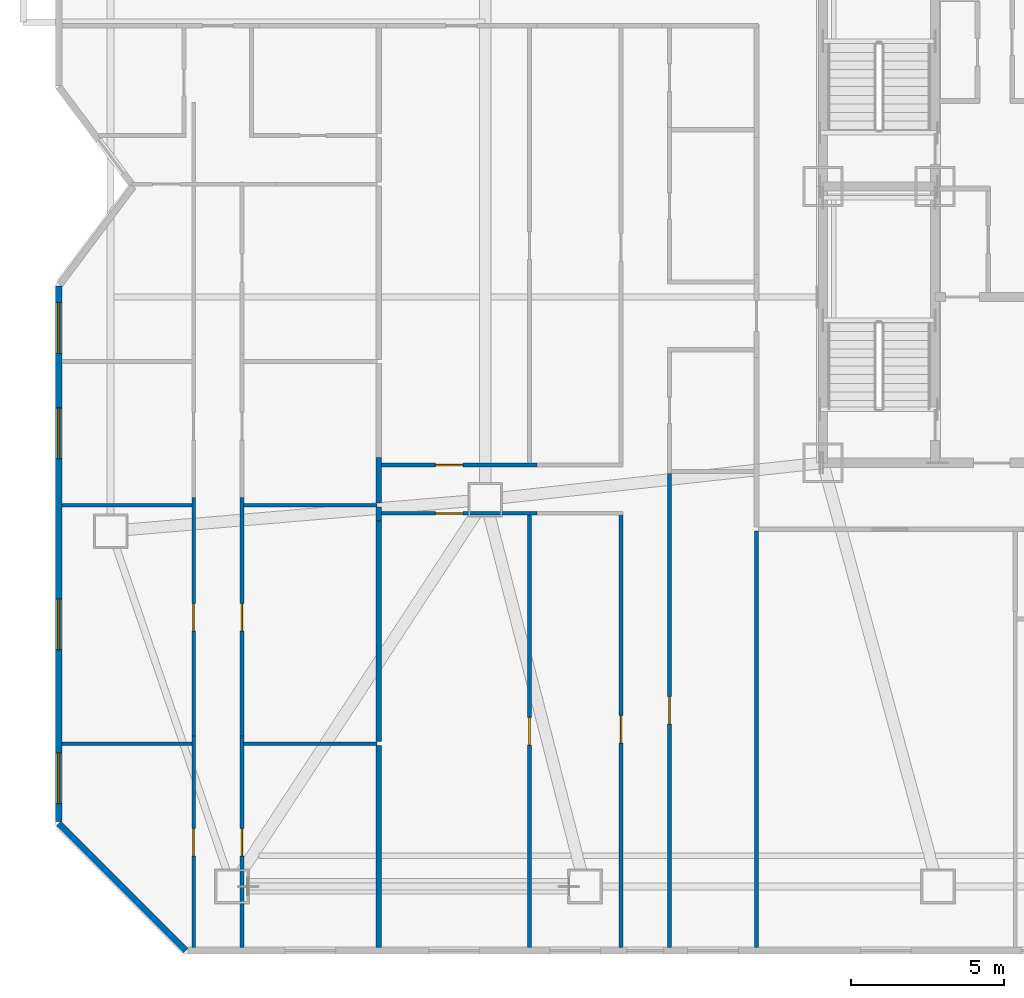
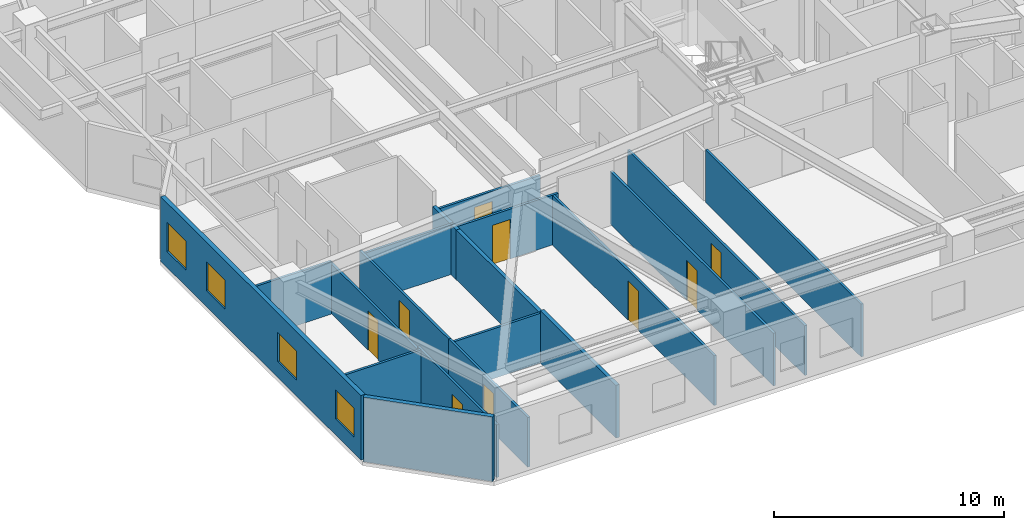
# One storey, part 7 of 17: 20 walls, 9 doors, 4 windows, 13 openings.
"""IFC4 building model written with IfcOpenShell, lengths in metres."""

import ifcopenshell
import ifcopenshell.guid

model = None  # the IFC model being written
_history = None  # IfcOwnerHistory: only IFC2X3 demands one
_inside = {}  # id of a spatial element -> (the spatial element, [elements in it])
_under = {}  # id of a project, library or spatial element -> (it, [spatial elements below it])
_declared = {}  # id of a project -> (the project, [libraries it declares])
_typed = {}  # id of a type object -> (the type object, [elements of that type])
_made_of = {}  # id of a material, layer set ... -> (it, [elements and type objects made of it])


def new_model(schema):
    """Start an empty IFC model of exactly this schema.

    Asked for "IFC4X3", IfcOpenShell would pick the latest addendum, in which some entities
    have other attributes; the version numbers below select the first issue.
    IFC2X3 requires an IfcOwnerHistory on every rooted entity: one is made here for all.
    """
    global model, _history
    if schema == "IFC4X3":
        model = ifcopenshell.file(schema_version=(4, 3, 0, 0))
    else:
        model = ifcopenshell.file(schema=schema)
    _inside.clear()
    _under.clear()
    _declared.clear()
    _typed.clear()
    _made_of.clear()
    _history = None
    if model.schema == "IFC2X3":
        org = make("IfcOrganization", Name="unknown")
        user = make(
            "IfcPersonAndOrganization",
            ThePerson=make("IfcPerson", FamilyName="unknown"),
            TheOrganization=org,
        )
        app = make(
            "IfcApplication",
            ApplicationDeveloper=org,
            Version="unknown",
            ApplicationFullName="unknown",
            ApplicationIdentifier="unknown",
        )
        _history = make(
            "IfcOwnerHistory",
            OwningUser=user,
            OwningApplication=app,
            ChangeAction="ADDED",
            CreationDate=0,
        )
    return model


def make(cls, **values):
    """One entity of the class cls with the attributes given. An attribute that is None is left unset."""
    return model.create_entity(
        cls, **{name: value for name, value in values.items() if value is not None}
    )


def rooted(cls, **values):
    """An entity with a GlobalId (a new one), such as an element, a storey or a relation."""
    return make(cls, GlobalId=ifcopenshell.guid.new(), OwnerHistory=_history, **values)


def si_unit(unit_type, name, prefix=None):
    """IfcSIUnit, for example si_unit("LENGTHUNIT", "METRE", prefix="MILLI")."""
    return make("IfcSIUnit", UnitType=unit_type, Prefix=prefix, Name=name)


def assignment(units):
    """IfcUnitAssignment: the units of a project."""
    return None if units is None else make("IfcUnitAssignment", Units=units)


def point(xyz):
    """IfcCartesianPoint."""
    return None if xyz is None else make("IfcCartesianPoint", Coordinates=xyz)


def direction(xyz):
    """IfcDirection."""
    return None if xyz is None else make("IfcDirection", DirectionRatios=xyz)


def frame(location, z_axis=None, x_axis=None):
    """IfcAxis2Placement3D, a coordinate frame: its origin and axes. An axis left out is left unset."""
    return make(
        "IfcAxis2Placement3D",
        Location=point(location),
        Axis=direction(z_axis),
        RefDirection=direction(x_axis),
    )


def frame_2d(location, x_axis=None):
    """IfcAxis2Placement2D, a coordinate frame in the plane: its origin and x axis."""
    return make(
        "IfcAxis2Placement2D", Location=point(location), RefDirection=direction(x_axis)
    )


def origin():
    """The frame at (0, 0, 0) with its axes left unset."""
    return frame((0.0, 0.0, 0.0))


def place(relative_to, where):
    """IfcLocalPlacement: puts the frame where relative to a parent placement (None: the world)."""
    return make(
        "IfcLocalPlacement", PlacementRelTo=relative_to, RelativePlacement=where
    )


def context(
    kind, dimensions, precision=None, world=None, true_north=None, identifier=None
):
    """IfcGeometricRepresentationContext, for example the 3D "Model" context."""
    return make(
        "IfcGeometricRepresentationContext",
        ContextIdentifier=identifier,
        ContextType=kind,
        CoordinateSpaceDimension=dimensions,
        Precision=precision,
        WorldCoordinateSystem=world,
        TrueNorth=true_north,
    )


def subcontext(parent, identifier, kind, view, scale=None):
    """IfcGeometricRepresentationSubContext, for example "Body" below "Model"."""
    return make(
        "IfcGeometricRepresentationSubContext",
        ContextIdentifier=identifier,
        ContextType=kind,
        ParentContext=parent,
        TargetScale=scale,
        TargetView=view,
    )


def project(units=None, contexts=None):
    """IfcProject with its units and contexts."""
    return rooted(
        "IfcProject",
        Name="project",
        RepresentationContexts=contexts,
        UnitsInContext=assignment(units),
    )


def spatial(cls, under=None, at=None, **own):
    """A site, building, storey or space (cls), placed at a placement, below another one or the project."""
    s = rooted(cls, ObjectPlacement=at, **own)
    if under is not None:
        _under.setdefault(under.id(), (under, []))[1].append(s)
    return s


def profile(cls, at=None, kind="AREA", **sizes):
    """A parametric profile (cls). Its sizes go by their IFC names, for example OverallWidth=200.0."""
    return make(cls, ProfileType=kind, Position=at, **sizes)


def rectangle(**sizes):
    """IfcRectangleProfileDef."""
    return profile("IfcRectangleProfileDef", **sizes)


def extrude(swept, where, along, depth):
    """IfcExtrudedAreaSolid: the profile swept, set in the frame where, extruded along a direction by depth."""
    return make(
        "IfcExtrudedAreaSolid",
        SweptArea=swept,
        Position=where,
        ExtrudedDirection=direction(along),
        Depth=depth,
    )


def shape(context_of_items, identifier, shape_type, items):
    """IfcShapeRepresentation: the items that make up one representation, for example the "Body"."""
    return make(
        "IfcShapeRepresentation",
        ContextOfItems=context_of_items,
        RepresentationIdentifier=identifier,
        RepresentationType=shape_type,
        Items=items,
    )


def material(Name=None, Category=None):
    """IfcMaterial."""
    return make("IfcMaterial", Name=Name, Category=Category)


def layer(
    of_material, thickness, ventilated=None, Name=None, Category=None, Priority=None
):
    """IfcMaterialLayer: one layer of a wall or slab, of a material (None: an air gap)."""
    return make(
        "IfcMaterialLayer",
        Material=of_material,
        LayerThickness=thickness,
        IsVentilated=ventilated,
        Name=Name,
        Category=Category,
        Priority=Priority,
    )


def layer_set(layers, Name=None):
    """IfcMaterialLayerSet."""
    return make("IfcMaterialLayerSet", MaterialLayers=layers, LayerSetName=Name)


def made_of(thing, what):
    """Note that an element or type object is made of a material, layer set ...; save() writes the relation."""
    if what is not None:
        _made_of.setdefault(what.id(), (what, []))[1].append(thing)
    return thing


def type_object(cls, material=None, **own):
    """A type object (cls), such as IfcWallType, which elements share."""
    return made_of(rooted(cls, **own), material)


def element(
    cls,
    number,
    at=None,
    inside=None,
    cuts=None,
    type_object=None,
    material=None,
    context=None,
    identifier="Body",
    shape_type=None,
    held_by="IfcProductDefinitionShape",
    body=None,
    shapes=None,
    **own,
):
    """One element of the class cls, such as IfcWall. Its Tag is "e" and its number.

    at: its placement. inside: the storey or other place that contains it. cuts: it is an
    opening in that element (IfcRelVoidsElement). A single representation is given by context,
    identifier, shape_type and body (its items); several are given by shapes. held_by: the class
    of the entity that holds the representations. save() writes the other relations.
    """
    e = rooted(cls, Tag="e%d" % number, ObjectPlacement=at, **own)
    if body is not None:
        shapes = [shape(context, identifier, shape_type, body)]
    if shapes is not None:
        e.Representation = make(held_by, Representations=shapes)
    if inside is not None:
        _inside.setdefault(inside.id(), (inside, []))[1].append(e)
    if cuts is not None:
        rooted(
            "IfcRelVoidsElement", RelatingBuildingElement=cuts, RelatedOpeningElement=e
        )
    if type_object is not None:
        _typed.setdefault(type_object.id(), (type_object, []))[1].append(e)
    return made_of(e, material)


def fill(opening, filler):
    """IfcRelFillsElement: the door or window that sits in an opening."""
    return rooted(
        "IfcRelFillsElement",
        RelatingOpeningElement=opening,
        RelatedBuildingElement=filler,
    )


def aggregate(whole, parts):
    """IfcRelAggregates: a whole, such as a stair, and the parts it consists of."""
    return rooted("IfcRelAggregates", RelatingObject=whole, RelatedObjects=parts)


def save(model, path):
    """Write the relations noted so far, then the file.

    IfcRelAggregates (storeys below a building ...), IfcRelContainedInSpatialStructure (elements
    in a storey), IfcRelDefinesByType, IfcRelAssociatesMaterial and IfcRelDeclares: one each for
    every whole, place, type object, material and project.
    """
    for whole, parts in _under.values():
        aggregate(whole, parts)
    for where, things in _inside.values():
        rooted(
            "IfcRelContainedInSpatialStructure",
            RelatedElements=things,
            RelatingStructure=where,
        )
    for kind, things in _typed.values():
        rooted("IfcRelDefinesByType", RelatedObjects=things, RelatingType=kind)
    for what, things in _made_of.values():
        rooted("IfcRelAssociatesMaterial", RelatedObjects=things, RelatingMaterial=what)
    for by, libraries in _declared.values():
        rooted("IfcRelDeclares", RelatingContext=by, RelatedDefinitions=libraries)
    model.write(path)


model = new_model("IFC4")

# Units and contexts
model_context = context("Model", 3, precision=1e-05, world=origin(), true_north=direction((0.0, 1.0)))
body_context = subcontext(model_context, "Body", "Model", "MODEL_VIEW")
ifc_project = project(units=[si_unit("LENGTHUNIT", "METRE"), si_unit("AREAUNIT", "SQUARE_METRE"), si_unit("VOLUMEUNIT", "CUBIC_METRE"), si_unit("PLANEANGLEUNIT", "RADIAN"), si_unit("MASSUNIT", "GRAM", prefix="KILO")], contexts=[model_context])

# Site, building, storey
site_placement = place(None, origin())
site = spatial("IfcSite", under=ifc_project, at=site_placement, CompositionType="ELEMENT")
building_placement = place(site_placement, origin())
building = spatial("IfcBuilding", under=site, at=building_placement, Name="Khamvora Tower", CompositionType="ELEMENT")
storey_placement = place(building_placement, frame((0.0, 0.0, 73.449951171875)))
storey = spatial("IfcBuildingStorey", under=building, at=storey_placement, Name="L18", CompositionType="ELEMENT", Elevation=73.449951171875)

# Walls
ifc_material_1 = material(Name="Acoustic Double-Stud Fire Wall", Category="gypsum")
ifc_layer_1 = layer(ifc_material_1, 0.179931640625)
ifc_layer_set_1 = layer_set([ifc_layer_1], Name="Acoustic Double-Stud Fire Wall")
wall_type_1 = type_object("IfcWallType", Name="WAL-CORR-180", PredefinedType="STANDARD", material=ifc_layer_set_1)
wall_1_placement = place(storey_placement, frame((14.533935546875, 9.784912109375, 0.0), z_axis=(0.0, 0.0, 1.0), x_axis=(0.0, -1.0, 0.0)))
element("IfcWall", 1, at=wall_1_placement, inside=storey, type_object=wall_type_1, Name="L18 interior partition wall 070", PredefinedType="STANDARD", context=body_context, shape_type="SweptSolid", body=[
    extrude(rectangle(XDim=6.572998046875, YDim=0.179931640625, at=frame_2d((3.28662109375, 0.0))), origin(), (0.0, 0.0, 1.0), 2.802978515625),
])
wall_2_placement = place(storey_placement, frame((14.533935546875, 17.553955078125, 0.0), z_axis=(0.0, 0.0, 1.0), x_axis=(0.0, -1.0, 0.0)))
element("IfcWall", 2, at=wall_2_placement, inside=storey, type_object=wall_type_1, Name="L18 interior partition wall 072", PredefinedType="STANDARD", context=body_context, shape_type="SweptSolid", body=[
    extrude(rectangle(XDim=0.447998046875, YDim=0.179931640625, at=frame_2d((0.22412109375, 0.0))), origin(), (0.0, 0.0, 1.0), 2.64697265625),
])
wall_3_placement = place(storey_placement, frame((14.533935546875, 17.10595703125, 0.0), z_axis=(0.0, 0.0, 1.0), x_axis=(0.0, -1.0, 0.0)))
element("IfcWall", 3, at=wall_3_placement, inside=storey, type_object=wall_type_1, Name="L18 interior partition wall 073", PredefinedType="STANDARD", context=body_context, shape_type="SweptSolid", body=[
    extrude(rectangle(XDim=7.19091796875, YDim=0.179931640625, at=frame_2d((3.595458984375, 0.0))), origin(), (0.0, 0.0, 1.0), 2.64697265625),
])
wall_4_placement = place(storey_placement, frame((14.533935546875, 19.174072265625, 0.0), z_axis=(0.0, 0.0, 1.0), x_axis=(0.0, -1.0, 0.0)))
element("IfcWall", 4, at=wall_4_placement, inside=storey, type_object=wall_type_1, Name="L18 interior partition wall 075", PredefinedType="STANDARD", context=body_context, shape_type="SweptSolid", body=[
    extrude(rectangle(XDim=1.489990234375, YDim=0.179931640625, at=frame_2d((0.7451171875, 0.0))), origin(), (0.0, 0.0, 1.0), 2.64697265625),
])
ifc_material_2 = material(Name="Precast concrete C40/50", Category="concrete")
ifc_layer_2 = layer(ifc_material_2, 0.219970703125)
ifc_layer_set_2 = layer_set([ifc_layer_2], Name="Precast concrete C40/50")
wall_type_2 = type_object("IfcWallType", Name="WAL-EXT-220", PredefinedType="STANDARD", material=ifc_layer_set_2)
wall_5_placement = place(storey_placement, frame((8.24609375, 3.110107421875, 0.0), z_axis=(0.0, 0.0, 1.0), x_axis=(-0.707106781187, 0.707106781187, 0.0)))
element("IfcWall", 5, at=wall_5_placement, inside=storey, type_object=wall_type_2, Name="L18 exterior facade wall 01.1", PredefinedType="STANDARD", context=body_context, shape_type="SweptSolid", body=[
    extrude(rectangle(XDim=5.84912109375, YDim=0.219970703125, at=frame_2d((2.924560546875, 0.0))), origin(), (0.0, 0.0, 1.0), 3.429931640625),
])

# Wall, openings, windows
wall_6_placement = place(storey_placement, frame((4.110107421875, 7.31689453125, 0.0), z_axis=(0.0, 0.0, 1.0), x_axis=(0.0, 1.0, 0.0)))
wall_6 = element("IfcWall", 6, at=wall_6_placement, inside=storey, type_object=wall_type_2, Name="L18 exterior facade wall 02.1", PredefinedType="STANDARD", context=body_context, shape_type="SweptSolid", body=[
    extrude(rectangle(XDim=17.446044921875, YDim=0.219970703125, at=frame_2d((8.72314453125, 0.0))), origin(), (0.0, 0.0, 1.0), 3.429931640625),
])
opening_1_placement = place(wall_6_placement, frame((0.583984375, 0.0, 0.85009765625)))
opening_1 = element("IfcOpeningElement", 7, at=opening_1_placement, cuts=wall_6, Name="Opening WN-06", PredefinedType="OPENING", context=body_context, shape_type="SweptSolid", body=[
    extrude(rectangle(XDim=1.64990234375, YDim=1.550048828125, at=frame_2d((0.824951171875, 0.77490234375))), frame((0.0, 0.119873046875, 0.0), z_axis=(0.0, -1.0, 0.0), x_axis=(1.0, 0.0, 0.0)), (0.0, 0.0, 1.0), 0.239990234375),
])
opening_2_placement = place(wall_6_placement, frame((5.593017578125, 0.0, 0.85009765625)))
opening_2 = element("IfcOpeningElement", 8, at=opening_2_placement, cuts=wall_6, Name="Opening WN-06", PredefinedType="OPENING", context=body_context, shape_type="SweptSolid", body=[
    extrude(rectangle(XDim=1.64990234375, YDim=1.550048828125, at=frame_2d((0.824951171875, 0.77490234375))), frame((0.0, 0.119873046875, 0.0), z_axis=(0.0, -1.0, 0.0), x_axis=(1.0, 0.0, 0.0)), (0.0, 0.0, 1.0), 0.239990234375),
])
opening_3_placement = place(wall_6_placement, frame((11.818115234375, 0.0, 0.85009765625)))
opening_3 = element("IfcOpeningElement", 9, at=opening_3_placement, cuts=wall_6, Name="Opening WN-06", PredefinedType="OPENING", context=body_context, shape_type="SweptSolid", body=[
    extrude(rectangle(XDim=1.64990234375, YDim=1.550048828125, at=frame_2d((0.824951171875, 0.77490234375))), frame((0.0, 0.119873046875, 0.0), z_axis=(0.0, -1.0, 0.0), x_axis=(1.0, 0.0, 0.0)), (0.0, 0.0, 1.0), 0.239990234375),
])
opening_4_placement = place(wall_6_placement, frame((15.2470703125, 0.0, 0.85009765625)))
opening_4 = element("IfcOpeningElement", 10, at=opening_4_placement, cuts=wall_6, Name="Opening WN-06", PredefinedType="OPENING", context=body_context, shape_type="SweptSolid", body=[
    extrude(rectangle(XDim=1.64990234375, YDim=1.550048828125, at=frame_2d((0.824951171875, 0.77490234375))), frame((0.0, 0.119873046875, 0.0), z_axis=(0.0, -1.0, 0.0), x_axis=(1.0, 0.0, 0.0)), (0.0, 0.0, 1.0), 0.239990234375),
])
ifc_material_3 = material(Name="Low-E Laminated Double Glazing", Category="glass")
window_type = type_object("IfcWindowType", Name="WIN-VIS-1650x1550", PartitioningType="SINGLE_PANEL", PredefinedType="WINDOW", material=ifc_material_3)
window_1_placement = place(opening_1_placement, origin())
window_1 = element("IfcWindow", 11, at=window_1_placement, inside=storey, type_object=window_type, Name="L18 vision window 02.1.01", OverallHeight=1.550048828125, OverallWidth=1.64990234375, PartitioningType="SINGLE_PANEL", PredefinedType="WINDOW", context=body_context, shape_type="SweptSolid", body=[
    extrude(rectangle(XDim=1.64990234375, YDim=1.550048828125, at=frame_2d((0.824951171875, 0.77490234375))), frame((0.0, 0.030029296875, 0.0), z_axis=(0.0, -1.0, 0.0), x_axis=(1.0, 0.0, 0.0)), (0.0, 0.0, 1.0), 0.06005859375),
])
fill(opening_1, window_1)
window_2_placement = place(opening_2_placement, origin())
window_2 = element("IfcWindow", 12, at=window_2_placement, inside=storey, type_object=window_type, Name="L18 vision window 02.1.02", OverallHeight=1.550048828125, OverallWidth=1.64990234375, PartitioningType="SINGLE_PANEL", PredefinedType="WINDOW", context=body_context, shape_type="SweptSolid", body=[
    extrude(rectangle(XDim=1.64990234375, YDim=1.550048828125, at=frame_2d((0.824951171875, 0.77490234375))), frame((0.0, 0.030029296875, 0.0), z_axis=(0.0, -1.0, 0.0), x_axis=(1.0, 0.0, 0.0)), (0.0, 0.0, 1.0), 0.06005859375),
])
fill(opening_2, window_2)
window_3_placement = place(opening_3_placement, origin())
window_3 = element("IfcWindow", 13, at=window_3_placement, inside=storey, type_object=window_type, Name="L18 vision window 02.1.03", OverallHeight=1.550048828125, OverallWidth=1.64990234375, PartitioningType="SINGLE_PANEL", PredefinedType="WINDOW", context=body_context, shape_type="SweptSolid", body=[
    extrude(rectangle(XDim=1.64990234375, YDim=1.550048828125, at=frame_2d((0.824951171875, 0.77490234375))), frame((0.0, 0.030029296875, 0.0), z_axis=(0.0, -1.0, 0.0), x_axis=(1.0, 0.0, 0.0)), (0.0, 0.0, 1.0), 0.06005859375),
])
fill(opening_3, window_3)
window_4_placement = place(opening_4_placement, origin())
window_4 = element("IfcWindow", 14, at=window_4_placement, inside=storey, type_object=window_type, Name="L18 vision window 02.1.04", OverallHeight=1.550048828125, OverallWidth=1.64990234375, PartitioningType="SINGLE_PANEL", PredefinedType="WINDOW", context=body_context, shape_type="SweptSolid", body=[
    extrude(rectangle(XDim=1.64990234375, YDim=1.550048828125, at=frame_2d((0.824951171875, 0.77490234375))), frame((0.0, 0.030029296875, 0.0), z_axis=(0.0, -1.0, 0.0), x_axis=(1.0, 0.0, 0.0)), (0.0, 0.0, 1.0), 0.06005859375),
])
fill(opening_4, window_4)

# Wall
ifc_material_4 = material(Name="Gypsum Plasterboard Partition", Category="gypsum")
ifc_layer_3 = layer(ifc_material_4, 0.1201171875)
ifc_layer_set_3 = layer_set([ifc_layer_3], Name="Gypsum Plasterboard Partition")
wall_type_3 = type_object("IfcWallType", Name="WAL-PART-120", PredefinedType="PARTITIONING", material=ifc_layer_set_3)
wall_7_placement = place(storey_placement, frame((26.8349609375, 3.2119140625, 0.0), z_axis=(0.0, 0.0, 1.0), x_axis=(0.0, 1.0, 0.0)))
element("IfcWall", 15, at=wall_7_placement, inside=storey, type_object=wall_type_3, Name="L18 interior partition wall 047", PredefinedType="PARTITIONING", context=body_context, shape_type="SweptSolid", body=[
    extrude(rectangle(XDim=13.55810546875, YDim=0.1201171875, at=frame_2d((6.779052734375, 0.0))), origin(), (0.0, 0.0, 1.0), 2.802978515625),
])

# Wall, opening, door
wall_8_placement = place(storey_placement, frame((8.50390625, 3.2119140625, 0.0), z_axis=(0.0, 0.0, 1.0), x_axis=(0.0, 1.0, 0.0)))
wall_8 = element("IfcWall", 16, at=wall_8_placement, inside=storey, type_object=wall_type_3, Name="L18 interior partition wall 054", PredefinedType="PARTITIONING", context=body_context, shape_type="SweptSolid", body=[
    extrude(rectangle(XDim=6.88720703125, YDim=0.1201171875, at=frame_2d((3.443603515625, 0.0))), origin(), (0.0, 0.0, 1.0), 2.802978515625),
])
opening_5_placement = place(wall_8_placement, frame((2.971923828125, 0.0, 0.0)))
opening_5 = element("IfcOpeningElement", 17, at=opening_5_placement, cuts=wall_8, Name="Opening D-RM1", PredefinedType="OPENING", context=body_context, shape_type="SweptSolid", body=[
    extrude(rectangle(XDim=0.89990234375, YDim=2.10009765625, at=frame_2d((0.449951171875, 1.050048828125))), frame((0.0, 0.070068359375, 0.0), z_axis=(0.0, -1.0, 0.0), x_axis=(1.0, 0.0, 0.0)), (0.0, 0.0, 1.0), 0.14013671875),
])
ifc_material_5 = material(Name="Powder-Coated Steel and Hardwood Leaf", Category="steel")
door_type = type_object("IfcDoorType", Name="DOR-ROOM-900", OperationType="NOTDEFINED", PredefinedType="DOOR", material=ifc_material_5)
door_1_placement = place(opening_5_placement, origin())
door_1 = element("IfcDoor", 18, at=door_1_placement, inside=storey, type_object=door_type, Name="L18 interior door 18WA1H-18WA1L", OperationType="SINGLE_SWING_RIGHT", OverallHeight=2.10009765625, OverallWidth=0.89990234375, PredefinedType="DOOR", context=body_context, shape_type="SweptSolid", body=[
    extrude(rectangle(XDim=0.89990234375, YDim=2.10009765625, at=frame_2d((0.449951171875, 1.050048828125))), frame((0.0, 0.02490234375, 0.0), z_axis=(0.0, -1.0, 0.0), x_axis=(1.0, 0.0, 0.0)), (0.0, 0.0, 1.0), 0.050048828125),
])
fill(opening_5, door_1)

wall_9_placement = place(storey_placement, frame((8.50390625, 10.09912109375, 0.0), z_axis=(0.0, 0.0, 1.0), x_axis=(0.0, 1.0, 0.0)))
wall_9 = element("IfcWall", 19, at=wall_9_placement, inside=storey, type_object=wall_type_3, Name="L18 interior partition wall 055", PredefinedType="PARTITIONING", context=body_context, shape_type="SweptSolid", body=[
    extrude(rectangle(XDim=7.769775390625, YDim=0.1201171875, at=frame_2d((3.884765625, 0.0))), origin(), (0.0, 0.0, 1.0), 2.64697265625),
])
opening_6_placement = place(wall_9_placement, frame((3.4130859375, 0.0, 0.0)))
opening_6 = element("IfcOpeningElement", 20, at=opening_6_placement, cuts=wall_9, Name="Opening D-RM1", PredefinedType="OPENING", context=body_context, shape_type="SweptSolid", body=[
    extrude(rectangle(XDim=0.89990234375, YDim=2.10009765625, at=frame_2d((0.449951171875, 1.050048828125))), frame((0.0, 0.070068359375, 0.0), z_axis=(0.0, -1.0, 0.0), x_axis=(1.0, 0.0, 0.0)), (0.0, 0.0, 1.0), 0.14013671875),
])
door_2_placement = place(opening_6_placement, origin())
door_2 = element("IfcDoor", 21, at=door_2_placement, inside=storey, type_object=door_type, Name="L18 interior door 18WA1H-18WA1R2", OperationType="SINGLE_SWING_RIGHT", OverallHeight=2.10009765625, OverallWidth=0.89990234375, PredefinedType="DOOR", context=body_context, shape_type="SweptSolid", body=[
    extrude(rectangle(XDim=0.89990234375, YDim=2.10009765625, at=frame_2d((0.449951171875, 1.050048828125))), frame((0.0, 0.02490234375, 0.0), z_axis=(0.0, -1.0, 0.0), x_axis=(1.0, 0.0, 0.0)), (0.0, 0.0, 1.0), 0.050048828125),
])
fill(opening_6, door_2)

wall_10_placement = place(storey_placement, frame((10.073974609375, 10.09912109375, 0.0), z_axis=(0.0, 0.0, 1.0), x_axis=(0.0, -1.0, 0.0)))
wall_10 = element("IfcWall", 22, at=wall_10_placement, inside=storey, type_object=wall_type_3, Name="L18 interior partition wall 059", PredefinedType="PARTITIONING", context=body_context, shape_type="SweptSolid", body=[
    extrude(rectangle(XDim=6.88720703125, YDim=0.1201171875, at=frame_2d((3.443603515625, 0.0))), origin(), (0.0, 0.0, 1.0), 2.64697265625),
])
opening_7_placement = place(wall_10_placement, frame((3.013916015625, 0.0, 0.0)))
opening_7 = element("IfcOpeningElement", 23, at=opening_7_placement, cuts=wall_10, Name="Opening D-RM1", PredefinedType="OPENING", context=body_context, shape_type="SweptSolid", body=[
    extrude(rectangle(XDim=0.89990234375, YDim=2.10009765625, at=frame_2d((0.449951171875, 1.050048828125))), frame((0.0, 0.070068359375, 0.0), z_axis=(0.0, -1.0, 0.0), x_axis=(1.0, 0.0, 0.0)), (0.0, 0.0, 1.0), 0.14013671875),
])
door_3_placement = place(opening_7_placement, origin())
door_3 = element("IfcDoor", 24, at=door_3_placement, inside=storey, type_object=door_type, Name="L18 interior door 18WA1H-18WA1R5", OperationType="SINGLE_SWING_LEFT", OverallHeight=2.10009765625, OverallWidth=0.89990234375, PredefinedType="DOOR", context=body_context, shape_type="SweptSolid", body=[
    extrude(rectangle(XDim=0.89990234375, YDim=2.10009765625, at=frame_2d((0.449951171875, 1.050048828125))), frame((0.0, 0.02490234375, 0.0), z_axis=(0.0, -1.0, 0.0), x_axis=(1.0, 0.0, 0.0)), (0.0, 0.0, 1.0), 0.050048828125),
])
fill(opening_7, door_3)

wall_11_placement = place(storey_placement, frame((10.073974609375, 17.868896484375, 0.0), z_axis=(0.0, 0.0, 1.0), x_axis=(0.0, -1.0, 0.0)))
wall_11 = element("IfcWall", 25, at=wall_11_placement, inside=storey, type_object=wall_type_3, Name="L18 interior partition wall 060", PredefinedType="PARTITIONING", context=body_context, shape_type="SweptSolid", body=[
    extrude(rectangle(XDim=7.769775390625, YDim=0.1201171875, at=frame_2d((3.884765625, 0.0))), origin(), (0.0, 0.0, 1.0), 2.64697265625),
])
opening_8_placement = place(wall_11_placement, frame((3.4560546875, 0.0, 0.0)))
opening_8 = element("IfcOpeningElement", 26, at=opening_8_placement, cuts=wall_11, Name="Opening D-RM1", PredefinedType="OPENING", context=body_context, shape_type="SweptSolid", body=[
    extrude(rectangle(XDim=0.89990234375, YDim=2.10009765625, at=frame_2d((0.449951171875, 1.050048828125))), frame((0.0, 0.070068359375, 0.0), z_axis=(0.0, -1.0, 0.0), x_axis=(1.0, 0.0, 0.0)), (0.0, 0.0, 1.0), 0.14013671875),
])
door_4_placement = place(opening_8_placement, origin())
door_4 = element("IfcDoor", 27, at=door_4_placement, inside=storey, type_object=door_type, Name="L18 interior door 18WA1H-18WA1R6", OperationType="SINGLE_SWING_RIGHT", OverallHeight=2.10009765625, OverallWidth=0.89990234375, PredefinedType="DOOR", context=body_context, shape_type="SweptSolid", body=[
    extrude(rectangle(XDim=0.89990234375, YDim=2.10009765625, at=frame_2d((0.449951171875, 1.050048828125))), frame((0.0, 0.02490234375, 0.0), z_axis=(0.0, -1.0, 0.0), x_axis=(1.0, 0.0, 0.0)), (0.0, 0.0, 1.0), 0.050048828125),
])
fill(opening_8, door_4)

# Walls
for number, where, z_axis, x_axis, name in (
    (28, (4.2119140625, 9.85009765625, 0.0), (0.0, 0.0, 1.0), (1.0, 0.0, 0.0), "L18 interior partition wall 066"),
    (29, (4.2119140625, 17.618896484375, 0.0), (0.0, 0.0, 1.0), (1.0, 0.0, 0.0), "L18 interior partition wall 067"),
):
    element("IfcWall", number, at=place(storey_placement, frame(where, z_axis=z_axis, x_axis=x_axis)), inside=storey, type_object=wall_type_3, Name=name, PredefinedType="PARTITIONING", context=body_context, shape_type="SweptSolid", body=[
        extrude(rectangle(XDim=4.238037109375, YDim=0.1201171875, at=frame_2d((2.119140625, 0.0))), origin(), (0.0, 0.0, 1.0), 2.802978515625),
    ])
for number, where, z_axis, x_axis, name in (
    (30, (10.1279296875, 9.85009765625, 0.0), (0.0, 0.0, 1.0), (1.0, 0.0, 0.0), "L18 interior partition wall 069"),
    (31, (10.1279296875, 17.618896484375, 0.0), (0.0, 0.0, 1.0), (1.0, 0.0, 0.0), "L18 interior partition wall 071"),
):
    element("IfcWall", number, at=place(storey_placement, frame(where, z_axis=z_axis, x_axis=x_axis)), inside=storey, type_object=wall_type_3, Name=name, PredefinedType="PARTITIONING", context=body_context, shape_type="SweptSolid", body=[
        extrude(rectangle(XDim=4.341064453125, YDim=0.1201171875, at=frame_2d((2.17041015625, 0.0))), origin(), (0.0, 0.0, 1.0), 2.64697265625),
    ])

# Wall, opening, door
wall_12_placement = place(storey_placement, frame((24.00390625, 3.2119140625, 0.0), z_axis=(0.0, 0.0, 1.0), x_axis=(0.0, 1.0, 0.0)))
wall_12 = element("IfcWall", 32, at=wall_12_placement, inside=storey, type_object=wall_type_3, Name="L18 interior partition wall 078", PredefinedType="PARTITIONING", context=body_context, shape_type="SweptSolid", body=[
    extrude(rectangle(XDim=15.442138671875, YDim=0.1201171875, at=frame_2d((7.72119140625, 0.0))), origin(), (0.0, 0.0, 1.0), 2.64697265625),
])
opening_9_placement = place(wall_12_placement, frame((7.27099609375, 0.0, 0.0)))
opening_9 = element("IfcOpeningElement", 33, at=opening_9_placement, cuts=wall_12, Name="Opening D-RM1", PredefinedType="OPENING", context=body_context, shape_type="SweptSolid", body=[
    extrude(rectangle(XDim=0.89990234375, YDim=2.10009765625, at=frame_2d((0.449951171875, 1.050048828125))), frame((0.0, 0.070068359375, 0.0), z_axis=(0.0, -1.0, 0.0), x_axis=(1.0, 0.0, 0.0)), (0.0, 0.0, 1.0), 0.14013671875),
])
door_5_placement = place(opening_9_placement, origin())
door_5 = element("IfcDoor", 34, at=door_5_placement, inside=storey, type_object=door_type, Name="L18 interior door 18WA2W1-18WA2H", OperationType="SINGLE_SWING_LEFT", OverallHeight=2.10009765625, OverallWidth=0.89990234375, PredefinedType="DOOR", context=body_context, shape_type="SweptSolid", body=[
    extrude(rectangle(XDim=0.89990234375, YDim=2.10009765625, at=frame_2d((0.449951171875, 1.050048828125))), frame((0.0, 0.02490234375, 0.0), z_axis=(0.0, -1.0, 0.0), x_axis=(1.0, 0.0, 0.0)), (0.0, 0.0, 1.0), 0.050048828125),
])
fill(opening_9, door_5)

wall_13_placement = place(storey_placement, frame((19.69091796875, 17.35498046875, 0.0), z_axis=(0.0, 0.0, 1.0), x_axis=(-1.0, 0.0, 0.0)))
wall_13 = element("IfcWall", 35, at=wall_13_placement, inside=storey, type_object=wall_type_3, Name="L18 interior partition wall 086", PredefinedType="PARTITIONING", context=body_context, shape_type="SweptSolid", body=[
    extrude(rectangle(XDim=5.074951171875, YDim=0.1201171875, at=frame_2d((2.53759765625, 0.0))), origin(), (0.0, 0.0, 1.0), 2.64697265625),
])
opening_10_placement = place(wall_13_placement, frame((2.416015625, 0.0, 0.0)))
opening_10 = element("IfcOpeningElement", 36, at=opening_10_placement, cuts=wall_13, Name="Opening D-RM1", PredefinedType="OPENING", context=body_context, shape_type="SweptSolid", body=[
    extrude(rectangle(XDim=0.89990234375, YDim=2.10009765625, at=frame_2d((0.449951171875, 1.050048828125))), frame((0.0, 0.070068359375, 0.0), z_axis=(0.0, -1.0, 0.0), x_axis=(1.0, 0.0, 0.0)), (0.0, 0.0, 1.0), 0.14013671875),
])
door_6_placement = place(opening_10_placement, origin())
door_6 = element("IfcDoor", 37, at=door_6_placement, inside=storey, type_object=door_type, Name="L18 interior door 18WA2H-18WA2R1", OperationType="SINGLE_SWING_RIGHT", OverallHeight=2.10009765625, OverallWidth=0.89990234375, PredefinedType="DOOR", context=body_context, shape_type="SweptSolid", body=[
    extrude(rectangle(XDim=0.89990234375, YDim=2.10009765625, at=frame_2d((0.449951171875, 1.050048828125))), frame((0.0, 0.02490234375, 0.0), z_axis=(0.0, -1.0, 0.0), x_axis=(1.0, 0.0, 0.0)), (0.0, 0.0, 1.0), 0.050048828125),
])
fill(opening_10, door_6)

wall_14_placement = place(storey_placement, frame((22.424072265625, 3.2119140625, 0.0), z_axis=(0.0, 0.0, 1.0), x_axis=(0.0, 1.0, 0.0)))
wall_14 = element("IfcWall", 38, at=wall_14_placement, inside=storey, type_object=wall_type_3, Name="L18 interior partition wall 087", PredefinedType="PARTITIONING", context=body_context, shape_type="SweptSolid", body=[
    extrude(rectangle(XDim=14.2080078125, YDim=0.1201171875, at=frame_2d((7.10400390625, 0.0))), origin(), (0.0, 0.0, 1.0), 2.802978515625),
])
opening_11_placement = place(wall_14_placement, frame((6.654052734375, 0.0, 0.0)))
opening_11 = element("IfcOpeningElement", 39, at=opening_11_placement, cuts=wall_14, Name="Opening D-RM1", PredefinedType="OPENING", context=body_context, shape_type="SweptSolid", body=[
    extrude(rectangle(XDim=0.89990234375, YDim=2.10009765625, at=frame_2d((0.449951171875, 1.050048828125))), frame((0.0, 0.070068359375, 0.0), z_axis=(0.0, -1.0, 0.0), x_axis=(1.0, 0.0, 0.0)), (0.0, 0.0, 1.0), 0.14013671875),
])
door_7_placement = place(opening_11_placement, origin())
door_7 = element("IfcDoor", 40, at=door_7_placement, inside=storey, type_object=door_type, Name="L18 interior door 18WA2H-18WA2R2", OperationType="SINGLE_SWING_RIGHT", OverallHeight=2.10009765625, OverallWidth=0.89990234375, PredefinedType="DOOR", context=body_context, shape_type="SweptSolid", body=[
    extrude(rectangle(XDim=0.89990234375, YDim=2.10009765625, at=frame_2d((0.449951171875, 1.050048828125))), frame((0.0, 0.02490234375, 0.0), z_axis=(0.0, -1.0, 0.0), x_axis=(1.0, 0.0, 0.0)), (0.0, 0.0, 1.0), 0.050048828125),
])
fill(opening_11, door_7)

wall_15_placement = place(storey_placement, frame((14.615966796875, 18.925048828125, 0.0), z_axis=(0.0, 0.0, 1.0), x_axis=(1.0, 0.0, 0.0)))
wall_15 = element("IfcWall", 41, at=wall_15_placement, inside=storey, type_object=wall_type_3, Name="L18 interior partition wall 089", PredefinedType="PARTITIONING", context=body_context, shape_type="SweptSolid", body=[
    extrude(rectangle(XDim=5.074951171875, YDim=0.1201171875, at=frame_2d((2.53759765625, 0.0))), origin(), (0.0, 0.0, 1.0), 2.64697265625),
])
opening_12_placement = place(wall_15_placement, frame((1.759033203125, 0.0, 0.0)))
opening_12 = element("IfcOpeningElement", 42, at=opening_12_placement, cuts=wall_15, Name="Opening D-RM1", PredefinedType="OPENING", context=body_context, shape_type="SweptSolid", body=[
    extrude(rectangle(XDim=0.89990234375, YDim=2.10009765625, at=frame_2d((0.449951171875, 1.050048828125))), frame((0.0, 0.070068359375, 0.0), z_axis=(0.0, -1.0, 0.0), x_axis=(1.0, 0.0, 0.0)), (0.0, 0.0, 1.0), 0.14013671875),
])
door_8_placement = place(opening_12_placement, origin())
door_8 = element("IfcDoor", 43, at=door_8_placement, inside=storey, type_object=door_type, Name="L18 interior door 18WA2H-18WA2R3", OperationType="SINGLE_SWING_LEFT", OverallHeight=2.10009765625, OverallWidth=0.89990234375, PredefinedType="DOOR", context=body_context, shape_type="SweptSolid", body=[
    extrude(rectangle(XDim=0.89990234375, YDim=2.10009765625, at=frame_2d((0.449951171875, 1.050048828125))), frame((0.0, 0.02490234375, 0.0), z_axis=(0.0, -1.0, 0.0), x_axis=(1.0, 0.0, 0.0)), (0.0, 0.0, 1.0), 0.050048828125),
])
fill(opening_12, door_8)

wall_16_placement = place(storey_placement, frame((19.44189453125, 17.301025390625, 0.0), z_axis=(0.0, 0.0, 1.0), x_axis=(0.0, -1.0, 0.0)))
wall_16 = element("IfcWall", 44, at=wall_16_placement, inside=storey, type_object=wall_type_3, Name="L18 interior partition wall 092", PredefinedType="PARTITIONING", context=body_context, shape_type="SweptSolid", body=[
    extrude(rectangle(XDim=14.089111328125, YDim=0.1201171875, at=frame_2d((7.04443359375, 0.0))), origin(), (0.0, 0.0, 1.0), 2.64697265625),
])
opening_13_placement = place(wall_16_placement, frame((6.594970703125, 0.0, 0.0)))
opening_13 = element("IfcOpeningElement", 45, at=opening_13_placement, cuts=wall_16, Name="Opening D-RM1", PredefinedType="OPENING", context=body_context, shape_type="SweptSolid", body=[
    extrude(rectangle(XDim=0.89990234375, YDim=2.10009765625, at=frame_2d((0.449951171875, 1.050048828125))), frame((0.0, 0.070068359375, 0.0), z_axis=(0.0, -1.0, 0.0), x_axis=(1.0, 0.0, 0.0)), (0.0, 0.0, 1.0), 0.14013671875),
])
door_9_placement = place(opening_13_placement, origin())
door_9 = element("IfcDoor", 46, at=door_9_placement, inside=storey, type_object=door_type, Name="L18 interior door 18WA2R1-18WA2R2", OperationType="SINGLE_SWING_RIGHT", OverallHeight=2.10009765625, OverallWidth=0.89990234375, PredefinedType="DOOR", context=body_context, shape_type="SweptSolid", body=[
    extrude(rectangle(XDim=0.89990234375, YDim=2.10009765625, at=frame_2d((0.449951171875, 1.050048828125))), frame((0.0, 0.02490234375, 0.0), z_axis=(0.0, -1.0, 0.0), x_axis=(1.0, 0.0, 0.0)), (0.0, 0.0, 1.0), 0.050048828125),
])
fill(opening_13, door_9)

save(model, "model.ifc")
